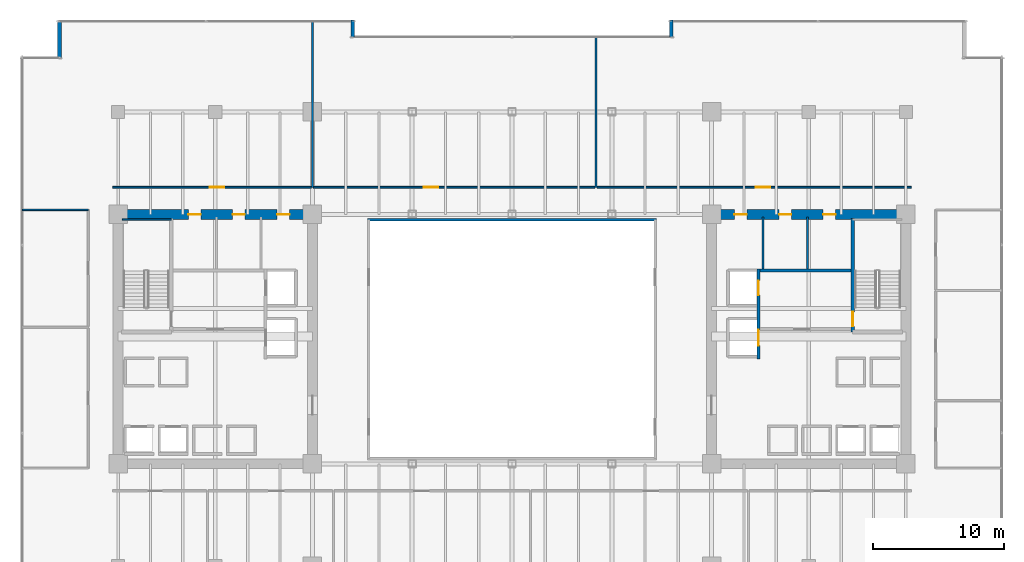
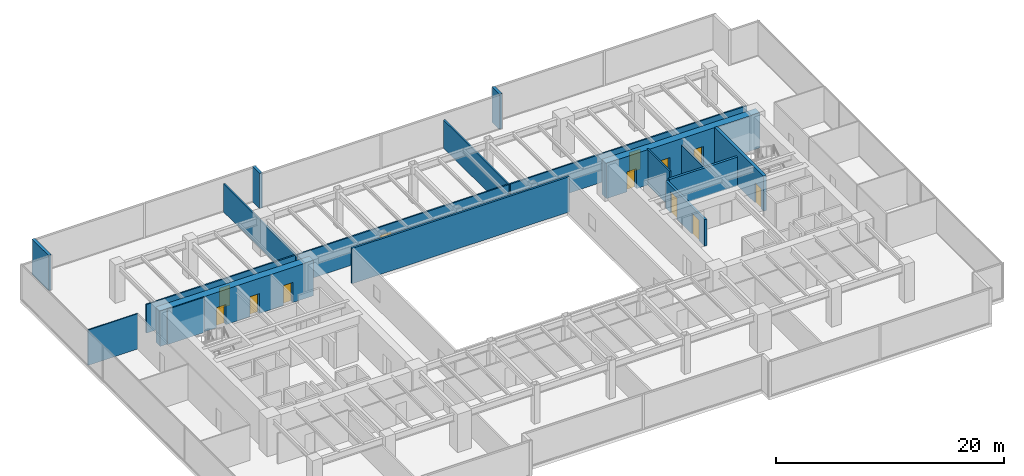
# One storey, part 31 of 35: 18 walls, 12 doors, 12 openings.
"""IFC4 building model written with IfcOpenShell, lengths in metres."""

from ifc_helpers import new_model, si_unit, direction, frame, frame_2d, origin, place, context, subcontext, project, spatial, rectangle, extrude, source, transform, mapped, material, layer, layer_set, type_object, type_shapes, element, fill, save


model = new_model("IFC4")

# Units and contexts
model_context = context("Model", 3, precision=1e-05, world=origin(), true_north=direction((0.0, 1.0)))
body_context = subcontext(model_context, "Body", "Model", "MODEL_VIEW")
ifc_project = project(units=[si_unit("LENGTHUNIT", "METRE"), si_unit("AREAUNIT", "SQUARE_METRE"), si_unit("VOLUMEUNIT", "CUBIC_METRE"), si_unit("PLANEANGLEUNIT", "RADIAN"), si_unit("MASSUNIT", "GRAM", prefix="KILO")], contexts=[model_context])

# Site, building, storey
site_placement = place(None, origin())
site = spatial("IfcSite", under=ifc_project, at=site_placement, CompositionType="ELEMENT")
building_placement = place(site_placement, origin())
building = spatial("IfcBuilding", under=site, at=building_placement, Name="Haelvirn Gate Laboratories", CompositionType="ELEMENT")
storey_placement = place(building_placement, frame((0.0, 0.0, 45.699951171875)))
storey = spatial("IfcBuildingStorey", under=building, at=storey_placement, Name="L11", CompositionType="ELEMENT", Elevation=45.699951171875)

# Walls
ifc_material_1 = material(Name="Thermally-broken bronze aluminium rainscreen & mineral wool", Category="aluminium")
ifc_layer_1 = layer(ifc_material_1, 0.280029296875, Name="EW-TERR-280")
ifc_layer_set_1 = layer_set([ifc_layer_1], Name="Thermally-broken bronze aluminium rainscreen & mineral wool")
wall_type_1 = type_object("IfcWallType", Name="EW-TERR-280", PredefinedType="STANDARD", material=ifc_layer_set_1)
for number, where, z_axis, x_axis, name in (
    (1, (49.5400390625, 48.60009765625, 0.0), (0.0, 0.0, 1.0), (0.0, -1.0, 0.0), "L11 Atrium Recess Bronze Return Wall 11"),
    (2, (25.260009765625, 47.31201171875, 0.0), (0.0, 0.0, 1.0), (0.0, 1.0, 0.0), "L11 Atrium Recess Bronze Return Wall 13"),
):
    element("IfcWall", number, at=place(storey_placement, frame(where, z_axis=z_axis, x_axis=x_axis)), inside=storey, type_object=wall_type_1, Name=name, PredefinedType="STANDARD", context=body_context, shape_type="SweptSolid", body=[
        extrude(rectangle(XDim=1.2880859375, YDim=0.280029296875, at=frame_2d((0.64404296875, 0.0))), origin(), (0.0, 0.0, 1.0), 3.780029296875),
    ])
wall_1_placement = place(storey_placement, frame((2.93994140625, 48.60009765625, 0.0), z_axis=(0.0, 0.0, 1.0), x_axis=(0.0, -1.0, 0.0)))
element("IfcWall", 3, at=wall_1_placement, inside=storey, type_object=wall_type_1, Name="L11 Atrium Recess Bronze Return Wall 15", PredefinedType="STANDARD", context=body_context, shape_type="SweptSolid", body=[
    extrude(rectangle(XDim=2.88818359375, YDim=0.280029296875, at=frame_2d((1.444091796875, 0.0))), origin(), (0.0, 0.0, 1.0), 3.780029296875),
])
ifc_material_2 = material(Name="Double-layer acoustic gypsum laboratory partition", Category="gypsum")
ifc_layer_2 = layer(ifc_material_2, 0.159912109375, Name="IW-ACOUST-160")
ifc_layer_set_2 = layer_set([ifc_layer_2], Name="Double-layer acoustic gypsum laboratory partition")
wall_type_2 = type_object("IfcWallType", Name="IW-ACOUST-160", PredefinedType="PARTITIONING", material=ifc_layer_set_2)
wall_2_placement = place(storey_placement, frame((22.199951171875, 35.860107421875, 0.0), z_axis=(0.0, 0.0, 1.0), x_axis=(0.0, 1.0, 0.0)))
element("IfcWall", 4, at=wall_2_placement, inside=storey, type_object=wall_type_2, Name="L11 Interior Wall IW-L11-NDIV-01", PredefinedType="PARTITIONING", context=body_context, shape_type="SweptSolid", body=[
    extrude(rectangle(XDim=12.6298828125, YDim=0.159912109375, at=frame_2d((6.31494140625, 0.0))), origin(), (0.0, 0.0, 1.0), 3.01513671875),
])
wall_3_placement = place(storey_placement, frame((43.800048828125, 35.860107421875, 0.0), z_axis=(0.0, 0.0, 1.0), x_axis=(0.0, 1.0, 0.0)))
element("IfcWall", 5, at=wall_3_placement, inside=storey, type_object=wall_type_2, Name="L11 Interior Wall IW-L11-NDIV-02", PredefinedType="PARTITIONING", context=body_context, shape_type="SweptSolid", body=[
    extrude(rectangle(XDim=11.429931640625, YDim=0.159912109375, at=frame_2d((5.71484375, 0.0))), origin(), (0.0, 0.0, 1.0), 3.01513671875),
])
ifc_material_3 = material(Name="Tempered fire-rated borosilicate glass & anodised aluminium", Category="aluminium")
ifc_layer_3 = layer(ifc_material_3, 0.195068359375, Name="IW-GLAZ-200")
ifc_layer_set_3 = layer_set([ifc_layer_3], Name="Tempered fire-rated borosilicate glass & anodised aluminium")
wall_type_3 = type_object("IfcWallType", Name="IW-GLAZ-200", PredefinedType="SOLIDWALL", material=ifc_layer_set_3)
wall_4_placement = place(storey_placement, frame((26.39990234375, 33.39990234375, 0.0), z_axis=(0.0, 0.0, 1.0), x_axis=(1.0, 0.0, 0.0)))
element("IfcWall", 6, at=wall_4_placement, inside=storey, type_object=wall_type_3, Name="L11 Interior Wall IW-L11-ATRIUM-N", PredefinedType="SOLIDWALL", context=body_context, shape_type="SweptSolid", body=[
    extrude(rectangle(XDim=22.0, YDim=0.195068359375, at=frame_2d((11.0, 0.0))), origin(), (0.0, 0.0, 1.0), 3.780029296875),
])
ifc_material_4 = material(Name="Lightweight acoustic gypsum board partition", Category="gypsum")
ifc_layer_4 = layer(ifc_material_4, 0.1201171875, Name="IW-PART-120")
ifc_layer_set_4 = layer_set([ifc_layer_4], Name="Lightweight acoustic gypsum board partition")
wall_type_4 = type_object("IfcWallType", Name="IW-PART-120", PredefinedType="PARTITIONING", material=ifc_layer_set_4)
wall_5_placement = place(storey_placement, frame((0.110107421875, 34.135009765625, 0.0), z_axis=(0.0, 0.0, 1.0), x_axis=(1.0, 0.0, 0.0)))
element("IfcWall", 7, at=wall_5_placement, inside=storey, type_object=wall_type_4, Name="L11 Interior Wall IW-L11-WCAP-N", PredefinedType="PARTITIONING", context=body_context, shape_type="SweptSolid", body=[
    extrude(rectangle(XDim=5.019775390625, YDim=0.1201171875, at=frame_2d((2.509765625, 0.0))), origin(), (0.0, 0.0, 1.0), 3.780029296875),
])

# Wall, opening, door
ifc_material_5 = material(Name="Acoustic mineral-wool gypsum board partition", Category="gypsum")
ifc_layer_5 = layer(ifc_material_5, 0.139892578125, Name="IW-PART-140")
ifc_layer_set_5 = layer_set([ifc_layer_5], Name="Acoustic mineral-wool gypsum board partition")
wall_type_5 = type_object("IfcWallType", Name="IW-PART-140", PredefinedType="PARTITIONING", material=ifc_layer_set_5)
wall_6_placement = place(storey_placement, frame((6.97998046875, 35.860107421875, 0.0), z_axis=(0.0, 0.0, 1.0), x_axis=(1.0, 0.0, 0.0)))
wall_6 = element("IfcWall", 8, at=wall_6_placement, inside=storey, type_object=wall_type_5, Name="L11 Interior Wall IW-L11-NCORR-01", PredefinedType="PARTITIONING", context=body_context, shape_type="SweptSolid", body=[
    extrude(rectangle(XDim=15.14013671875, YDim=0.139892578125, at=frame_2d((7.570068359375, 0.0))), origin(), (0.0, 0.0, 1.0), 3.06494140625),
])
opening_1_placement = place(wall_6_placement, frame((7.420166015625, 0.0, 0.0)))
opening_1 = element("IfcOpeningElement", 9, at=opening_1_placement, cuts=wall_6, Name="Opening D1", PredefinedType="OPENING", context=body_context, shape_type="SweptSolid", body=[
    extrude(rectangle(XDim=1.10009765625, YDim=2.179931640625, at=frame_2d((0.550048828125, 1.08984375))), frame((0.0, 0.080078125, 0.0), z_axis=(0.0, -1.0, 0.0), x_axis=(1.0, 0.0, 0.0)), (0.0, 0.0, 1.0), 0.159912109375),
])
ifc_material_6 = material(Name="Vision-panel acoustic solid-core timber lab door", Category="wood")
door_type_1 = type_object("IfcDoorType", Name="DR-LAB-1100", OperationType="NOTDEFINED", PredefinedType="DOOR", material=ifc_material_6)
shared_shape_1 = source(origin(), body_context, "Body", "SweptSolid", [
    extrude(rectangle(XDim=1.10009765625, YDim=2.179931640625, at=frame_2d((0.550048828125, 1.08984375))), frame((0.0, 0.02490234375, 0.0), z_axis=(0.0, -1.0, 0.0), x_axis=(1.0, 0.0, 0.0)), (0.0, 0.0, 1.0), 0.050048828125),
])
type_shapes(door_type_1, [shared_shape_1])
door_1_placement = place(opening_1_placement, origin())
door_1 = element("IfcDoor", 10, at=door_1_placement, inside=storey, type_object=door_type_1, Name="L11 Researcher Quiet Study Door N1", OperationType="SINGLE_SWING_LEFT", OverallHeight=2.179931640625, OverallWidth=1.10009765625, PredefinedType="DOOR", context=body_context, shape_type="MappedRepresentation", body=[
    mapped(shared_shape_1, transform((0.0, 0.0, 0.0), scale=1.0)),
])
fill(opening_1, door_1)

wall_7_placement = place(storey_placement, frame((22.280029296875, 35.860107421875, 0.0), z_axis=(0.0, 0.0, 1.0), x_axis=(1.0, 0.0, 0.0)))
wall_7 = element("IfcWall", 11, at=wall_7_placement, inside=storey, type_object=wall_type_5, Name="L11 Interior Wall IW-L11-NCORR-02", PredefinedType="PARTITIONING", context=body_context, shape_type="SweptSolid", body=[
    extrude(rectangle(XDim=21.43994140625, YDim=0.139892578125, at=frame_2d((10.719970703125, 0.0))), origin(), (0.0, 0.0, 1.0), 3.06494140625),
])
opening_2_placement = place(wall_7_placement, frame((8.40234375, 0.0, 0.0)))
opening_2 = element("IfcOpeningElement", 12, at=opening_2_placement, cuts=wall_7, Name="Opening D1", PredefinedType="OPENING", context=body_context, shape_type="SweptSolid", body=[
    extrude(rectangle(XDim=1.10009765625, YDim=2.179931640625, at=frame_2d((0.550048828125, 1.08984375))), frame((0.0, 0.080078125, 0.0), z_axis=(0.0, -1.0, 0.0), x_axis=(1.0, 0.0, 0.0)), (0.0, 0.0, 1.0), 0.159912109375),
])
door_2_placement = place(opening_2_placement, origin())
door_2 = element("IfcDoor", 13, at=door_2_placement, inside=storey, type_object=door_type_1, Name="L11 Protocol Briefing Training Room Door N2", OperationType="SINGLE_SWING_RIGHT", OverallHeight=2.179931640625, OverallWidth=1.10009765625, PredefinedType="DOOR", context=body_context, shape_type="MappedRepresentation", body=[
    mapped(shared_shape_1, transform((0.0, 0.0, 0.0), scale=1.0)),
])
fill(opening_2, door_2)

wall_8_placement = place(storey_placement, frame((43.8798828125, 35.860107421875, 0.0), z_axis=(0.0, 0.0, 1.0), x_axis=(1.0, 0.0, 0.0)))
wall_8 = element("IfcWall", 14, at=wall_8_placement, inside=storey, type_object=wall_type_5, Name="L11 Interior Wall IW-L11-NCORR-03", PredefinedType="PARTITIONING", context=body_context, shape_type="SweptSolid", body=[
    extrude(rectangle(XDim=23.940185546875, YDim=0.139892578125, at=frame_2d((11.97021484375, 0.0))), origin(), (0.0, 0.0, 1.0), 3.06494140625),
])
opening_3_placement = place(wall_8_placement, frame((12.084228515625, 0.0, 0.0)))
opening_3 = element("IfcOpeningElement", 15, at=opening_3_placement, cuts=wall_8, Name="Opening D1", PredefinedType="OPENING", context=body_context, shape_type="SweptSolid", body=[
    extrude(rectangle(XDim=1.10009765625, YDim=2.179931640625, at=frame_2d((0.550048828125, 1.08984375))), frame((0.0, 0.080078125, 0.0), z_axis=(0.0, -1.0, 0.0), x_axis=(1.0, 0.0, 0.0)), (0.0, 0.0, 1.0), 0.159912109375),
])
door_3_placement = place(opening_3_placement, origin())
door_3 = element("IfcDoor", 16, at=door_3_placement, inside=storey, type_object=door_type_1, Name="L11 Peer-Review Seminar Room Door N3", OperationType="SINGLE_SWING_LEFT", OverallHeight=2.179931640625, OverallWidth=1.10009765625, PredefinedType="DOOR", context=body_context, shape_type="MappedRepresentation", body=[
    mapped(shared_shape_1, transform((0.0, 0.0, 0.0), scale=1.0)),
])
fill(opening_3, door_3)

# Walls
ifc_material_7 = material(Name="Cement-board restroom plumbing chase wall", Category="gypsum")
ifc_layer_6 = layer(ifc_material_7, 0.155029296875, Name="IW-PLUMB-160")
ifc_layer_set_6 = layer_set([ifc_layer_6], Name="Cement-board restroom plumbing chase wall")
wall_type_6 = type_object("IfcWallType", Name="IW-PLUMB-160", PredefinedType="PLUMBINGWALL", material=ifc_layer_set_6)
wall_9_placement = place(storey_placement, frame((59.909912109375, 29.64990234375, 0.0), z_axis=(0.0, 0.0, 1.0), x_axis=(0.0, 1.0, 0.0)))
element("IfcWall", 17, at=wall_9_placement, inside=storey, type_object=wall_type_6, Name="L11 Interior Wall IW-L11-E-CDIV-1", PredefinedType="PLUMBINGWALL", context=body_context, shape_type="SweptSolid", body=[
    extrude(rectangle(XDim=3.93017578125, YDim=0.155029296875, at=frame_2d((1.965087890625, 0.0))), origin(), (0.0, 0.0, 1.0), 3.06494140625),
])
wall_10_placement = place(storey_placement, frame((56.510009765625, 29.64990234375, 0.0), z_axis=(0.0, 0.0, 1.0), x_axis=(0.0, 1.0, 0.0)))
element("IfcWall", 18, at=wall_10_placement, inside=storey, type_object=wall_type_6, Name="L11 Interior Wall IW-L11-E-CDIV-2", PredefinedType="PLUMBINGWALL", context=body_context, shape_type="SweptSolid", body=[
    extrude(rectangle(XDim=3.93017578125, YDim=0.155029296875, at=frame_2d((1.965087890625, 0.0))), origin(), (0.0, 0.0, 1.0), 3.780029296875),
])
ifc_material_8 = material(Name="Concrete C40/50", Category="concrete")
ifc_layer_7 = layer(ifc_material_8, 0.239990234375, Name="IW-SHAFT-240")
ifc_layer_set_7 = layer_set([ifc_layer_7], Name="Concrete C40/50")
wall_type_7 = type_object("IfcWallType", Name="IW-SHAFT-240", PredefinedType="SOLIDWALL", material=ifc_layer_set_7)
wall_11_placement = place(storey_placement, frame((56.280029296875, 29.52001953125, 0.0), z_axis=(0.0, 0.0, 1.0), x_axis=(1.0, 0.0, 0.0)))
element("IfcWall", 19, at=wall_11_placement, inside=storey, type_object=wall_type_7, Name="L11 Interior Wall IW-L11-E-FF-N", PredefinedType="SOLIDWALL", context=body_context, shape_type="SweptSolid", body=[
    extrude(rectangle(XDim=6.919921875, YDim=0.239990234375, at=frame_2d((3.4599609375, 0.0))), origin(), (0.0, 0.0, 1.0), 3.06494140625),
])

# Wall, openings, doors
wall_12_placement = place(storey_placement, frame((56.159912109375, 22.800048828125, 0.0), z_axis=(0.0, 0.0, 1.0), x_axis=(0.0, 1.0, 0.0)))
wall_12 = element("IfcWall", 20, at=wall_12_placement, inside=storey, type_object=wall_type_7, Name="L11 Interior Wall IW-L11-E-FF-E", PredefinedType="SOLIDWALL", context=body_context, shape_type="SweptSolid", body=[
    extrude(rectangle(XDim=6.849853515625, YDim=0.239990234375, at=frame_2d((3.4248046875, 0.0))), origin(), (0.0, 0.0, 1.0), 2.864990234375),
])
opening_4_placement = place(wall_12_placement, frame((4.85009765625, 0.0, 0.0)))
opening_4 = element("IfcOpeningElement", 21, at=opening_4_placement, cuts=wall_12, Name="Opening LD2", PredefinedType="OPENING", context=body_context, shape_type="SweptSolid", body=[
    extrude(rectangle(XDim=1.10009765625, YDim=2.219970703125, at=frame_2d((0.550048828125, 1.10986328125))), frame((0.0, 0.1298828125, 0.0), z_axis=(0.0, -1.0, 0.0), x_axis=(1.0, 0.0, 0.0)), (0.0, 0.0, 1.0), 0.260009765625),
])
opening_5_placement = place(wall_12_placement, frame((1.0, 0.0, 0.0)))
opening_5 = element("IfcOpeningElement", 22, at=opening_5_placement, cuts=wall_12, Name="Opening LD1", PredefinedType="OPENING", context=body_context, shape_type="SweptSolid", body=[
    extrude(rectangle(XDim=1.199951171875, YDim=2.219970703125, at=frame_2d((0.60009765625, 1.10986328125))), frame((0.0, 0.1298828125, 0.0), z_axis=(0.0, -1.0, 0.0), x_axis=(1.0, 0.0, 0.0)), (0.0, 0.0, 1.0), 0.260009765625),
])
ifc_material_9 = material(Name="Bronze stainless 316L sliding lift landing door")
door_type_2 = type_object("IfcDoorType", Name="DR-LD-1100", OperationType="NOTDEFINED", PredefinedType="USERDEFINED", material=ifc_material_9)
shared_shape_2 = source(origin(), body_context, "Body", "SweptSolid", [
    extrude(rectangle(XDim=1.10009765625, YDim=2.219970703125, at=frame_2d((0.550048828125, 1.10986328125))), frame((0.0, 0.02490234375, 0.0), z_axis=(0.0, -1.0, 0.0), x_axis=(1.0, 0.0, 0.0)), (0.0, 0.0, 1.0), 0.050048828125),
])
type_shapes(door_type_2, [shared_shape_2])
door_4_placement = place(opening_4_placement, origin())
door_4 = element("IfcDoor", 23, at=door_4_placement, inside=storey, type_object=door_type_2, Name="L11 Firefighting Lift FL2 Landing Door", ObjectType="LANDING_DOOR", OperationType="SLIDING_TO_RIGHT", OverallHeight=2.219970703125, OverallWidth=1.10009765625, PredefinedType="USERDEFINED", context=body_context, shape_type="MappedRepresentation", body=[
    mapped(shared_shape_2, transform((0.0, 0.0, 0.0), scale=1.0)),
])
fill(opening_4, door_4)
ifc_material_10 = material(Name="Stainless steel 316L sliding goods landing door", Category="steel")
door_type_3 = type_object("IfcDoorType", Name="DR-LD-1200", OperationType="NOTDEFINED", PredefinedType="USERDEFINED", material=ifc_material_10)
shared_shape_3 = source(origin(), body_context, "Body", "SweptSolid", [
    extrude(rectangle(XDim=1.199951171875, YDim=2.219970703125, at=frame_2d((0.60009765625, 1.10986328125))), frame((0.0, 0.02490234375, 0.0), z_axis=(0.0, -1.0, 0.0), x_axis=(1.0, 0.0, 0.0)), (0.0, 0.0, 1.0), 0.050048828125),
])
type_shapes(door_type_3, [shared_shape_3])
door_5_placement = place(opening_5_placement, origin())
door_5 = element("IfcDoor", 24, at=door_5_placement, inside=storey, type_object=door_type_3, Name="L11 Service Lift SL2 Landing Door", ObjectType="LANDING_DOOR", OperationType="SLIDING_TO_LEFT", OverallHeight=2.219970703125, OverallWidth=1.199951171875, PredefinedType="USERDEFINED", context=body_context, shape_type="MappedRepresentation", body=[
    mapped(shared_shape_3, transform((0.0, 0.0, 0.0), scale=1.0)),
])
fill(opening_5, door_5)

ifc_material_11 = material(Name="Concrete C70/85", Category="concrete")
ifc_layer_8 = layer(ifc_material_11, 0.75, Name="SW-CORE-750")
ifc_layer_set_8 = layer_set([ifc_layer_8], Name="Concrete C70/85")
wall_type_8 = type_object("IfcWallType", Name="SW-CORE-750", PredefinedType="SHEAR", material=ifc_layer_set_8)
wall_13_placement = place(storey_placement, frame((7.02490234375, 33.800048828125, 0.0), z_axis=(0.0, 0.0, 1.0), x_axis=(1.0, 0.0, 0.0)))
wall_13 = element("IfcWall", 25, at=wall_13_placement, inside=storey, type_object=wall_type_8, Name="L11 W Core Shear Wall N", PredefinedType="SHEAR", context=body_context, shape_type="SweptSolid", body=[
    extrude(rectangle(XDim=15.550048828125, YDim=0.75, at=frame_2d((7.77490234375, 0.0))), origin(), (0.0, 0.0, 1.0), 3.780029296875),
])
opening_6_placement = place(wall_13_placement, frame((5.72509765625, 0.0, 0.0)))
opening_6 = element("IfcOpeningElement", 26, at=opening_6_placement, cuts=wall_13, Name="Opening FD4", PredefinedType="OPENING", context=body_context, shape_type="SweptSolid", body=[
    extrude(rectangle(XDim=0.949951171875, YDim=2.14990234375, at=frame_2d((0.47509765625, 1.074951171875))), frame((0.0, 0.385009765625, 0.0), z_axis=(0.0, -1.0, 0.0), x_axis=(1.0, 0.0, 0.0)), (0.0, 0.0, 1.0), 0.77001953125),
])
opening_7_placement = place(wall_13_placement, frame((9.090087890625, 0.0, 0.0)))
opening_7 = element("IfcOpeningElement", 27, at=opening_7_placement, cuts=wall_13, Name="Opening FD4", PredefinedType="OPENING", context=body_context, shape_type="SweptSolid", body=[
    extrude(rectangle(XDim=0.949951171875, YDim=2.14990234375, at=frame_2d((0.47509765625, 1.074951171875))), frame((0.0, 0.385009765625, 0.0), z_axis=(0.0, -1.0, 0.0), x_axis=(1.0, 0.0, 0.0)), (0.0, 0.0, 1.0), 0.77001953125),
])
opening_8_placement = place(wall_13_placement, frame((12.489990234375, 0.0, 0.0)))
opening_8 = element("IfcOpeningElement", 28, at=opening_8_placement, cuts=wall_13, Name="Opening FD4", PredefinedType="OPENING", context=body_context, shape_type="SweptSolid", body=[
    extrude(rectangle(XDim=0.949951171875, YDim=2.14990234375, at=frame_2d((0.47509765625, 1.074951171875))), frame((0.0, 0.385009765625, 0.0), z_axis=(0.0, -1.0, 0.0), x_axis=(1.0, 0.0, 0.0)), (0.0, 0.0, 1.0), 0.77001953125),
])
ifc_material_12 = material(Name="Fire-rated steel SM355 core service door", Category="steel")
door_type_4 = type_object("IfcDoorType", Name="DR-FD-950", OperationType="NOTDEFINED", PredefinedType="DOOR", material=ifc_material_12)
shared_shape_4 = source(origin(), body_context, "Body", "SweptSolid", [
    extrude(rectangle(XDim=0.949951171875, YDim=2.14990234375, at=frame_2d((0.47509765625, 1.074951171875))), frame((0.0, 0.02490234375, 0.0), z_axis=(0.0, -1.0, 0.0), x_axis=(1.0, 0.0, 0.0)), (0.0, 0.0, 1.0), 0.050048828125),
])
type_shapes(door_type_4, [shared_shape_4])
door_6_placement = place(opening_6_placement, origin())
door_6 = element("IfcDoor", 29, at=door_6_placement, inside=storey, type_object=door_type_4, Name="L11 Male Restroom Fire Door", OperationType="SINGLE_SWING_RIGHT", OverallHeight=2.14990234375, OverallWidth=0.949951171875, PredefinedType="DOOR", context=body_context, shape_type="MappedRepresentation", body=[
    mapped(shared_shape_4, transform((0.0, 0.0, 0.0), scale=1.0)),
])
fill(opening_6, door_6)
door_7_placement = place(opening_7_placement, origin())
door_7 = element("IfcDoor", 30, at=door_7_placement, inside=storey, type_object=door_type_4, Name="L11 Female Restroom Fire Door", OperationType="SINGLE_SWING_LEFT", OverallHeight=2.14990234375, OverallWidth=0.949951171875, PredefinedType="DOOR", context=body_context, shape_type="MappedRepresentation", body=[
    mapped(shared_shape_4, transform((0.0, 0.0, 0.0), scale=1.0)),
])
fill(opening_7, door_7)
door_8_placement = place(opening_8_placement, origin())
door_8 = element("IfcDoor", 31, at=door_8_placement, inside=storey, type_object=door_type_4, Name="L11 Accessible Restroom Fire Door", OperationType="SINGLE_SWING_RIGHT", OverallHeight=2.14990234375, OverallWidth=0.949951171875, PredefinedType="DOOR", context=body_context, shape_type="MappedRepresentation", body=[
    mapped(shared_shape_4, transform((0.0, 0.0, 0.0), scale=1.0)),
])
fill(opening_8, door_8)

wall_14_placement = place(storey_placement, frame((52.22509765625, 33.800048828125, 0.0), z_axis=(0.0, 0.0, 1.0), x_axis=(1.0, 0.0, 0.0)))
wall_14 = element("IfcWall", 32, at=wall_14_placement, inside=storey, type_object=wall_type_8, Name="L11 E Core Shear Wall N", PredefinedType="SHEAR", context=body_context, shape_type="SweptSolid", body=[
    extrude(rectangle(XDim=15.5498046875, YDim=0.75, at=frame_2d((7.77490234375, 0.0))), origin(), (0.0, 0.0, 1.0), 3.780029296875),
])
opening_9_placement = place(wall_14_placement, frame((8.875, 0.0, 0.0)))
opening_9 = element("IfcOpeningElement", 33, at=opening_9_placement, cuts=wall_14, Name="Opening FD4", PredefinedType="OPENING", context=body_context, shape_type="SweptSolid", body=[
    extrude(rectangle(XDim=0.949951171875, YDim=2.14990234375, at=frame_2d((0.47509765625, 1.074951171875))), frame((0.0, 0.385009765625, 0.0), z_axis=(0.0, -1.0, 0.0), x_axis=(1.0, 0.0, 0.0)), (0.0, 0.0, 1.0), 0.77001953125),
])
opening_10_placement = place(wall_14_placement, frame((5.510009765625, 0.0, 0.0)))
opening_10 = element("IfcOpeningElement", 34, at=opening_10_placement, cuts=wall_14, Name="Opening FD4", PredefinedType="OPENING", context=body_context, shape_type="SweptSolid", body=[
    extrude(rectangle(XDim=0.949951171875, YDim=2.14990234375, at=frame_2d((0.47509765625, 1.074951171875))), frame((0.0, 0.385009765625, 0.0), z_axis=(0.0, -1.0, 0.0), x_axis=(1.0, 0.0, 0.0)), (0.0, 0.0, 1.0), 0.77001953125),
])
opening_11_placement = place(wall_14_placement, frame((2.110107421875, 0.0, 0.0)))
opening_11 = element("IfcOpeningElement", 35, at=opening_11_placement, cuts=wall_14, Name="Opening FD4", PredefinedType="OPENING", context=body_context, shape_type="SweptSolid", body=[
    extrude(rectangle(XDim=0.949951171875, YDim=2.14990234375, at=frame_2d((0.47509765625, 1.074951171875))), frame((0.0, 0.385009765625, 0.0), z_axis=(0.0, -1.0, 0.0), x_axis=(1.0, 0.0, 0.0)), (0.0, 0.0, 1.0), 0.77001953125),
])
door_9_placement = place(opening_9_placement, origin())
door_9 = element("IfcDoor", 36, at=door_9_placement, inside=storey, type_object=door_type_4, Name="L11 Male Restroom Fire Door", OperationType="SINGLE_SWING_RIGHT", OverallHeight=2.14990234375, OverallWidth=0.949951171875, PredefinedType="DOOR", context=body_context, shape_type="MappedRepresentation", body=[
    mapped(shared_shape_4, transform((0.0, 0.0, 0.0), scale=1.0)),
])
fill(opening_9, door_9)
door_10_placement = place(opening_10_placement, origin())
door_10 = element("IfcDoor", 37, at=door_10_placement, inside=storey, type_object=door_type_4, Name="L11 Female Restroom Fire Door", OperationType="SINGLE_SWING_LEFT", OverallHeight=2.14990234375, OverallWidth=0.949951171875, PredefinedType="DOOR", context=body_context, shape_type="MappedRepresentation", body=[
    mapped(shared_shape_4, transform((0.0, 0.0, 0.0), scale=1.0)),
])
fill(opening_10, door_10)
door_11_placement = place(opening_11_placement, origin())
door_11 = element("IfcDoor", 38, at=door_11_placement, inside=storey, type_object=door_type_4, Name="L11 Accessible Restroom Fire Door", OperationType="SINGLE_SWING_RIGHT", OverallHeight=2.14990234375, OverallWidth=0.949951171875, PredefinedType="DOOR", context=body_context, shape_type="MappedRepresentation", body=[
    mapped(shared_shape_4, transform((0.0, 0.0, 0.0), scale=1.0)),
])
fill(opening_11, door_11)

# Wall
ifc_material_13 = material(Name="Concrete C50/60", Category="concrete")
ifc_layer_9 = layer(ifc_material_13, 0.1201171875, Name="SW-LINER-120")
ifc_layer_set_9 = layer_set([ifc_layer_9], Name="Concrete C50/60")
wall_type_9 = type_object("IfcWallType", Name="SW-LINER-120", PredefinedType="SOLIDWALL", material=ifc_layer_set_9)
wall_15_placement = place(storey_placement, frame((7.72998046875, 33.39990234375, 0.0), z_axis=(0.0, 0.0, 1.0), x_axis=(1.0, 0.0, 0.0)))
element("IfcWall", 39, at=wall_15_placement, inside=storey, type_object=wall_type_9, Name="L11 W Core Stair Shaft Liner Wall N", PredefinedType="SOLIDWALL", context=body_context, shape_type="SweptSolid", body=[
    extrude(rectangle(XDim=3.719970703125, YDim=0.1201171875, at=frame_2d((1.85986328125, 0.0))), origin(), (0.0, 0.0, 1.0), 3.780029296875),
])

# Wall, opening, door
ifc_layer_10 = layer(ifc_material_13, 0.300048828125, Name="SW-STAIR-300")
ifc_layer_set_10 = layer_set([ifc_layer_10], Name="Concrete C50/60")
wall_type_10 = type_object("IfcWallType", Name="SW-STAIR-300", PredefinedType="SHEAR", material=ifc_layer_set_10)
wall_16_placement = place(storey_placement, frame((63.35009765625, 24.85009765625, 0.0), z_axis=(0.0, 0.0, 1.0), x_axis=(0.0, 1.0, 0.0)))
wall_16 = element("IfcWall", 40, at=wall_16_placement, inside=storey, type_object=wall_type_10, Name="L11 E Core Stair Shaft Structural Wall IN", PredefinedType="SHEAR", context=body_context, shape_type="SweptSolid", body=[
    extrude(rectangle(XDim=8.6298828125, YDim=0.300048828125, at=frame_2d((4.31494140625, 0.0))), origin(), (0.0, 0.0, 1.0), 3.780029296875),
])
opening_12_placement = place(wall_16_placement, frame((0.419921875, 0.0, 0.0)))
opening_12 = element("IfcOpeningElement", 41, at=opening_12_placement, cuts=wall_16, Name="Opening FD3", PredefinedType="OPENING", context=body_context, shape_type="SweptSolid", body=[
    extrude(rectangle(XDim=1.10009765625, YDim=2.14990234375, at=frame_2d((0.550048828125, 1.074951171875))), frame((0.0, 0.16015625, 0.0), z_axis=(0.0, -1.0, 0.0), x_axis=(1.0, 0.0, 0.0)), (0.0, 0.0, 1.0), 0.320068359375),
])
ifc_material_14 = material(Name="Fire-rated steel SM355 escape stair door", Category="steel")
door_type_5 = type_object("IfcDoorType", Name="DR-FD-1100", OperationType="NOTDEFINED", PredefinedType="DOOR", material=ifc_material_14)
shared_shape_5 = source(origin(), body_context, "Body", "SweptSolid", [
    extrude(rectangle(XDim=1.10009765625, YDim=2.14990234375, at=frame_2d((0.550048828125, 1.074951171875))), frame((0.0, 0.02490234375, 0.0), z_axis=(0.0, -1.0, 0.0), x_axis=(1.0, 0.0, 0.0)), (0.0, 0.0, 1.0), 0.050048828125),
])
type_shapes(door_type_5, [shared_shape_5])
door_12_placement = place(opening_12_placement, origin())
door_12 = element("IfcDoor", 42, at=door_12_placement, inside=storey, type_object=door_type_5, Name="L11 Escape Stair ST2 Fire Door", OperationType="SINGLE_SWING_RIGHT", OverallHeight=2.14990234375, OverallWidth=1.10009765625, PredefinedType="DOOR", context=body_context, shape_type="MappedRepresentation", body=[
    mapped(shared_shape_5, transform((0.0, 0.0, 0.0), scale=1.0)),
])
fill(opening_12, door_12)

save(model, "model.ifc")
